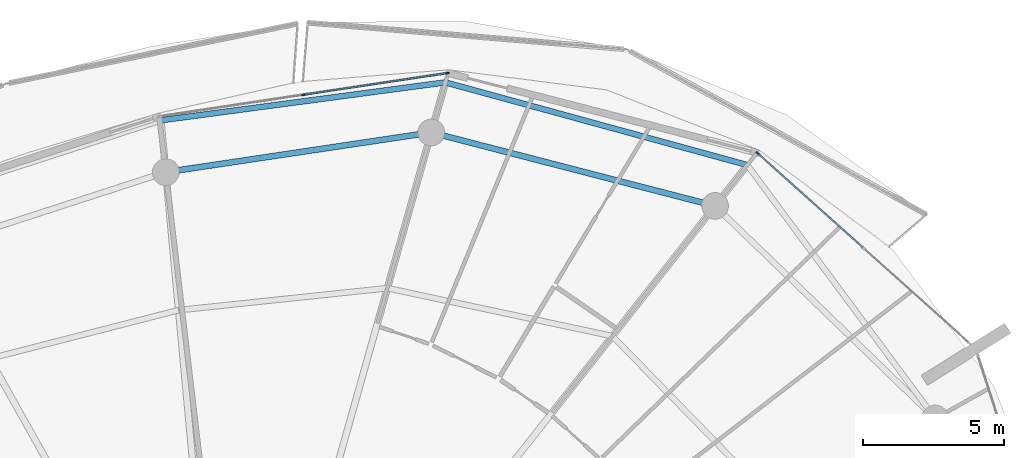
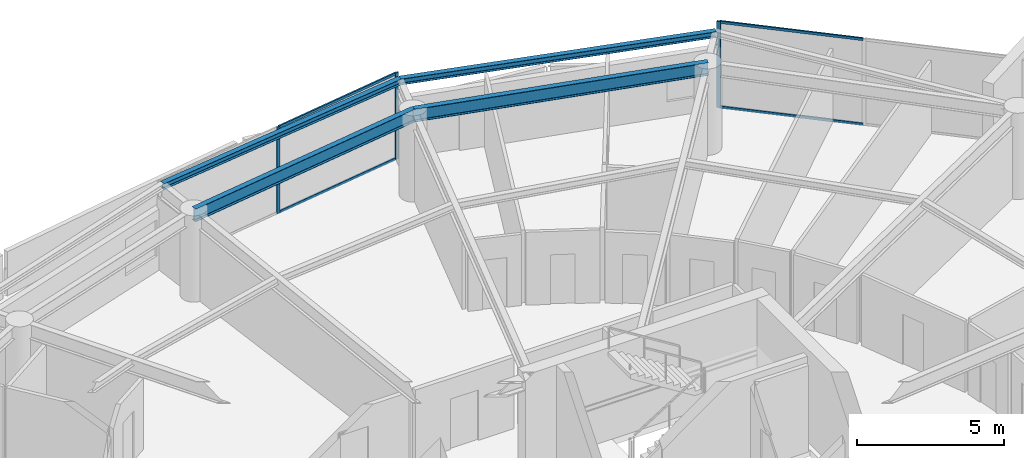
# One storey, part 16 of 31: 7 members, 4 beams, 2 elements without a shape of their own.
"""IFC4 building model written with IfcOpenShell, lengths in metres."""

from ifc_helpers import new_model, si_unit, direction, frame, origin, origin_2d, place, context, subcontext, project, spatial, rectangle, i_section, extrude, material, layer, layer_set, material_profile, profile_set, type_object, element, aggregate, save


model = new_model("IFC4")

# Units and contexts
model_context = context("Model", 3, precision=1e-05, world=origin(), true_north=direction((0.0, 1.0)))
body_context = subcontext(model_context, "Body", "Model", "MODEL_VIEW")
ifc_project = project(units=[si_unit("LENGTHUNIT", "METRE"), si_unit("AREAUNIT", "SQUARE_METRE"), si_unit("VOLUMEUNIT", "CUBIC_METRE"), si_unit("PLANEANGLEUNIT", "RADIAN"), si_unit("MASSUNIT", "GRAM", prefix="KILO")], contexts=[model_context])

# Site, building, storey
site_placement = place(None, origin())
site = spatial("IfcSite", under=ifc_project, at=site_placement, CompositionType="ELEMENT")
building_placement = place(site_placement, origin())
building = spatial("IfcBuilding", under=site, at=building_placement, Name="Kazma Halo Residences", CompositionType="ELEMENT")
storey_placement = place(building_placement, frame((0.0, 0.0, 275.199951171875)))
storey = spatial("IfcBuildingStorey", under=building, at=storey_placement, Name="L69", CompositionType="ELEMENT", Elevation=275.199951171875)

# Beams
ifc_material_1 = material(Name="Steel S355", Category="steel")
ifc_material_profile_1 = material_profile(ifc_material_1, i_section(OverallWidth=0.201904296875, OverallDepth=0.2470703125, WebThickness=0.00732421875, FlangeThickness=0.010986328125, FilletRadius=0.011962890625, at=origin_2d()), Name="W250x49.1")
ifc_profile_set_1 = profile_set([ifc_material_profile_1], Name="Steel S355")
beam_type_1 = type_object("IfcBeamType", Name="BM-BAL-CANT", PredefinedType="BEAM", material=ifc_profile_set_1)
beam_1_placement = place(storey_placement, frame((65.992431640625, 64.823486328125, 3.466552734375), z_axis=(-0.964514665976, 0.264029277006, 0.0), x_axis=(-0.264029277006, -0.964514665976, 0.0)))
element("IfcBeam", 1, at=beam_1_placement, inside=storey, type_object=beam_type_1, Name="L69 wave-balcony tie beam 02", PredefinedType="BEAM", context=body_context, shape_type="SweptSolid", body=[
    extrude(i_section(OverallWidth=0.201904296875, OverallDepth=0.2470703125, WebThickness=0.00732421875, FlangeThickness=0.010986328125, FilletRadius=0.011962890625, at=origin_2d()), origin(), (0.0, 0.0, 1.0), 11.1220703125),
])
beam_2_placement = place(storey_placement, frame((55.26513671875, 67.760009765625, 3.466552734375), z_axis=(-0.991234590706, -0.132113535217, 0.0), x_axis=(0.132113535217, -0.991234590706, 0.0)))
element("IfcBeam", 2, at=beam_2_placement, inside=storey, type_object=beam_type_1, Name="L69 wave-balcony tie beam 03", PredefinedType="BEAM", context=body_context, shape_type="SweptSolid", body=[
    extrude(i_section(OverallWidth=0.201904296875, OverallDepth=0.2470703125, WebThickness=0.00732421875, FlangeThickness=0.010986328125, FilletRadius=0.011962890625, at=origin_2d()), origin(), (0.0, 0.0, 1.0), 10.197021484375),
])
ifc_material_profile_2 = material_profile(ifc_material_1, i_section(OverallWidth=0.208984375, OverallDepth=0.532958984375, WebThickness=0.01025390625, FlangeThickness=0.015625, FilletRadius=0.01611328125, at=origin_2d()), Name="W530x92")
ifc_profile_set_2 = profile_set([ifc_material_profile_2], Name="Steel S355")
beam_type_2 = type_object("IfcBeamType", Name="BM-SPN-W530", PredefinedType="BEAM", material=ifc_profile_set_2)
beam_3_placement = place(storey_placement, frame((64.84716796875, 63.37060546875, 3.323486328125), z_axis=(-0.968126042852, 0.250463500639, 0.0), x_axis=(-0.250463500639, -0.968126042852, 0.0)))
element("IfcBeam", 3, at=beam_3_placement, inside=storey, type_object=beam_type_2, Name="L69 perimeter ring beam 02", PredefinedType="BEAM", context=body_context, shape_type="SweptSolid", body=[
    extrude(i_section(OverallWidth=0.208984375, OverallDepth=0.532958984375, WebThickness=0.01025390625, FlangeThickness=0.015625, FilletRadius=0.01611328125, at=origin_2d()), origin(), (0.0, 0.0, 1.0), 10.416259765625),
])
beam_4_placement = place(storey_placement, frame((54.762939453125, 65.9794921875, 3.323486328125), z_axis=(-0.989035441627, -0.147678350495, 0.0), x_axis=(0.147678350495, -0.989035441627, 0.0)))
element("IfcBeam", 4, at=beam_4_placement, inside=storey, type_object=beam_type_2, Name="L69 perimeter ring beam 03", PredefinedType="BEAM", context=body_context, shape_type="SweptSolid", body=[
    extrude(i_section(OverallWidth=0.208984375, OverallDepth=0.532958984375, WebThickness=0.01025390625, FlangeThickness=0.015625, FilletRadius=0.01611328125, at=origin_2d()), origin(), (0.0, 0.0, 1.0), 9.538818359375),
])

# Curtain wall, member
ifc_material_2 = material(Name="Aluminium AW-6063 T6 and Triple-Silver Low-E Glass", Category="aluminium")
ifc_layer = layer(ifc_material_2, 0.139892578125)
ifc_layer_set = layer_set([ifc_layer], Name="Aluminium AW-6063 T6 and Triple-Silver Low-E Glass")
curtain_wall_type = type_object("IfcCurtainWallType", Name="CW-SYS-5", PredefinedType="NOTDEFINED", material=ifc_layer_set)
curtain_wall_1_placement = place(storey_placement, origin())
curtain_wall_1 = element("IfcCurtainWall", 5, at=curtain_wall_1_placement, inside=storey, type_object=curtain_wall_type, Name="L69 unitised curtain wall B01", PredefinedType="NOTDEFINED")
ifc_material_3 = material(Name="Aluminium AW-6063 T6", Category="aluminium")
ifc_material_profile_3 = material_profile(ifc_material_3, rectangle(XDim=0.06005859375, YDim=0.139892578125, at=origin_2d()), Name="CWM-60x140")
ifc_profile_set_3 = profile_set([ifc_material_profile_3], Name="Aluminium AW-6063 T6")
member_type_1 = type_object("IfcMemberType", Name="CW-SYS-5-MUL", PredefinedType="MULLION", material=ifc_profile_set_3)
member_1_placement = place(storey_placement, frame((66.3603515625, 65.241455078125, 0.0), z_axis=(0.0, 0.0, 1.0), x_axis=(-0.667804826958, -0.744336424671, 0.0)))
member_1 = element("IfcMember", 6, at=member_1_placement, type_object=member_type_1, Name="CWS-5 mullion 3", PredefinedType="MULLION", context=body_context, shape_type="SweptSolid", body=[
    extrude(rectangle(XDim=0.06005859375, YDim=0.139892578125, at=origin_2d()), origin(), (0.0, 0.0, 1.0), 3.590087890625),
])

# Curtain wall, members
curtain_wall_2_placement = place(storey_placement, origin())
curtain_wall_2 = element("IfcCurtainWall", 7, at=curtain_wall_2_placement, inside=storey, type_object=curtain_wall_type, Name="L69 unitised curtain wall B03", PredefinedType="NOTDEFINED")
member_2_placement = place(storey_placement, frame((55.328857421875, 68.087158203125, 0.0), z_axis=(0.0, 0.0, 1.0), x_axis=(0.148697080374, -0.988882792998, 0.0)))
member_2 = element("IfcMember", 8, at=member_2_placement, type_object=member_type_1, Name="CWS-5 mullion 1", PredefinedType="MULLION", context=body_context, shape_type="SweptSolid", body=[
    extrude(rectangle(XDim=0.06005859375, YDim=0.139892578125, at=origin_2d()), origin(), (0.0, 0.0, 1.0), 3.590087890625),
])
member_3_placement = place(storey_placement, frame((50.2265625, 67.320068359375, 0.0), z_axis=(0.0, 0.0, 1.0), x_axis=(0.148697080374, -0.988882792998, 0.0)))
member_3 = element("IfcMember", 9, at=member_3_placement, type_object=member_type_1, Name="CWS-5 mullion 2", PredefinedType="MULLION", context=body_context, shape_type="SweptSolid", body=[
    extrude(rectangle(XDim=0.06005859375, YDim=0.139892578125, at=origin_2d()), origin(), (0.0, 0.0, 1.0), 3.590087890625),
])

# Member
ifc_material_profile_4 = material_profile(ifc_material_3, rectangle(XDim=0.06005859375, YDim=0.10498046875, at=origin_2d()), Name="CWT-60x105")
ifc_profile_set_4 = profile_set([ifc_material_profile_4], Name="Aluminium AW-6063 T6")
member_type_2 = type_object("IfcMemberType", Name="CW-SYS-5-TRN", PredefinedType="USERDEFINED", material=ifc_profile_set_4)
member_4_placement = place(storey_placement, frame((70.099609375, 61.88671875, 0.030029296875), z_axis=(-0.744350700793, 0.667788914425, 0.0), x_axis=(-0.667788914425, -0.744350700793, 0.0)))
member_4 = element("IfcMember", 10, at=member_4_placement, type_object=member_type_2, Name="CWS-5 transom 2.1", ObjectType="TRANSOM", PredefinedType="USERDEFINED", context=body_context, shape_type="SweptSolid", body=[
    extrude(rectangle(XDim=0.06005859375, YDim=0.10498046875, at=origin_2d()), origin(), (0.0, 0.0, 1.0), 4.99365234375),
])

member_5_placement = place(storey_placement, frame((70.099609375, 61.88671875, 3.56005859375), z_axis=(-0.744350700793, 0.667788914425, 0.0), x_axis=(-0.667788914425, -0.744350700793, 0.0)))
member_5 = element("IfcMember", 11, at=member_5_placement, type_object=member_type_2, Name="CWS-5 transom 2.2", ObjectType="TRANSOM", PredefinedType="USERDEFINED", context=body_context, shape_type="SweptSolid", body=[
    extrude(rectangle(XDim=0.06005859375, YDim=0.10498046875, at=origin_2d()), origin(), (0.0, 0.0, 1.0), 4.99365234375),
])

aggregate(curtain_wall_1, [member_1, member_4, member_5])

member_6_placement = place(storey_placement, frame((55.29931640625, 68.082763671875, 0.030029296875), z_axis=(-0.988883972013, -0.148689239341, 0.0), x_axis=(0.148689239341, -0.988883972013, 0.0)))
member_6 = element("IfcMember", 12, at=member_6_placement, type_object=member_type_2, Name="CWS-5 transom 1.1", ObjectType="TRANSOM", PredefinedType="USERDEFINED", context=body_context, shape_type="SweptSolid", body=[
    extrude(rectangle(XDim=0.06005859375, YDim=0.10498046875, at=origin_2d()), origin(), (0.0, 0.0, 1.0), 5.099853515625),
])

member_7_placement = place(storey_placement, frame((55.29931640625, 68.082763671875, 3.56005859375), z_axis=(-0.988883972013, -0.148689239341, 0.0), x_axis=(0.148689239341, -0.988883972013, 0.0)))
member_7 = element("IfcMember", 13, at=member_7_placement, type_object=member_type_2, Name="CWS-5 transom 1.2", ObjectType="TRANSOM", PredefinedType="USERDEFINED", context=body_context, shape_type="SweptSolid", body=[
    extrude(rectangle(XDim=0.06005859375, YDim=0.10498046875, at=origin_2d()), origin(), (0.0, 0.0, 1.0), 5.099853515625),
])

aggregate(curtain_wall_2, [member_2, member_3, member_6, member_7])

save(model, "model.ifc")
